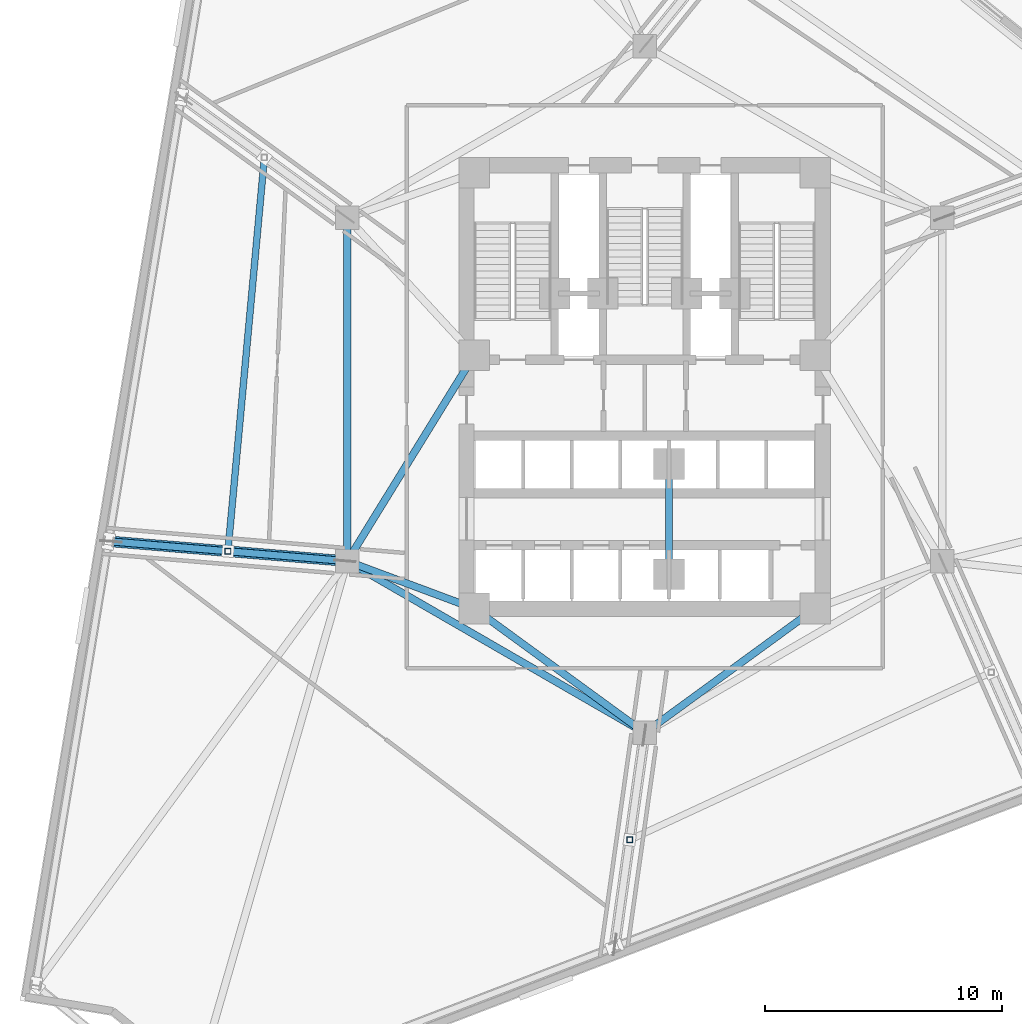
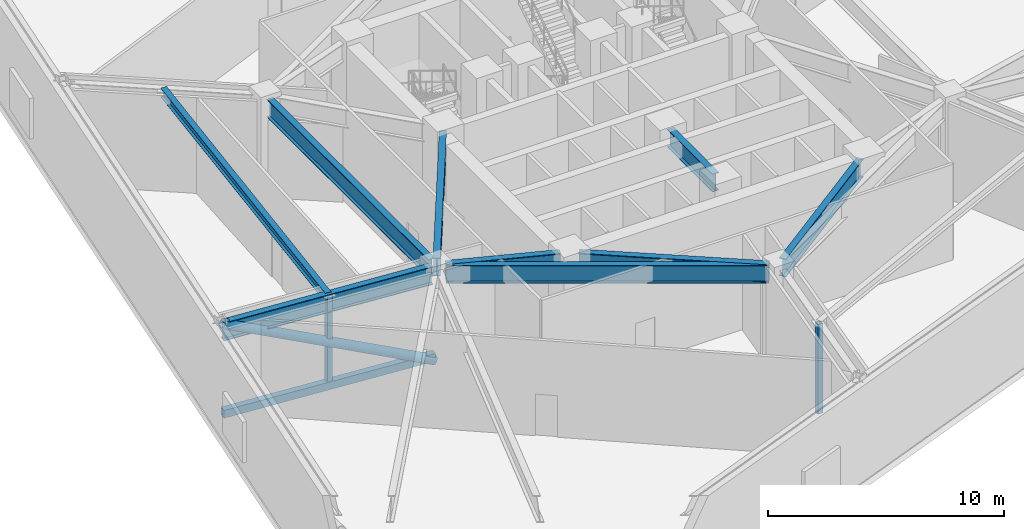
# One storey, part 3 of 18: 9 beams, 4 members.
"""IFC4 building model written with IfcOpenShell, lengths in metres."""

from ifc_helpers import new_model, si_unit, direction, frame, origin, origin_2d, place, context, subcontext, project, spatial, hollow_rectangle, hollow_circle, i_section, extrude, material, material_profile, profile_set, type_object, element, save


model = new_model("IFC4")

# Units and contexts
model_context = context("Model", 3, precision=1e-05, world=origin(), true_north=direction((0.0, 1.0)))
body_context = subcontext(model_context, "Body", "Model", "MODEL_VIEW")
ifc_project = project(units=[si_unit("LENGTHUNIT", "METRE"), si_unit("AREAUNIT", "SQUARE_METRE"), si_unit("VOLUMEUNIT", "CUBIC_METRE"), si_unit("PLANEANGLEUNIT", "RADIAN"), si_unit("MASSUNIT", "GRAM", prefix="KILO")], contexts=[model_context])

# Site, building, storey
site_placement = place(None, origin())
site = spatial("IfcSite", under=ifc_project, at=site_placement, CompositionType="ELEMENT")
building_placement = place(site_placement, origin())
building = spatial("IfcBuilding", under=site, at=building_placement, Name="Apsidion Concourse Tower", CompositionType="ELEMENT")
storey_placement = place(building_placement, frame((0.0, 0.0, 127.0)))
storey = spatial("IfcBuildingStorey", under=building, at=storey_placement, Name="L29", CompositionType="ELEMENT", Elevation=127.0)

# Beams
ifc_material_1 = material(Name="Structural steel ASTM A992 Grade 50", Category="steel")
ifc_material_profile_1 = material_profile(ifc_material_1, i_section(OverallWidth=0.280029296875, OverallDepth=0.462890625, WebThickness=0.0107421875, FlangeThickness=0.017333984375, at=origin_2d()), Name="W18X76")
ifc_profile_set_1 = profile_set([ifc_material_profile_1], Name="Structural steel ASTM A992 Grade 50")
beam_type_1 = type_object("IfcBeamType", Name="BM-FL-W18M", PredefinedType="BEAM", material=ifc_profile_set_1)
beam_1_placement = place(storey_placement, frame((-16.05908203125, 9.798095703125, 4.718505859375), z_axis=(-0.092270423312, -0.995733985049, 0.0), x_axis=(0.995733985049, -0.092270423312, 0.0)))
element("IfcBeam", 1, at=beam_1_placement, inside=storey, type_object=beam_type_1, Name="L29 Secondary Floor Beam SEC-F1", PredefinedType="BEAM", context=body_context, shape_type="SweptSolid", body=[
    extrude(i_section(OverallWidth=0.280029296875, OverallDepth=0.462890625, WebThickness=0.0107421875, FlangeThickness=0.017333984375, at=origin_2d()), origin(), (0.0, 0.0, 1.0), 16.698486328125),
])
ifc_material_profile_2 = material_profile(ifc_material_1, i_section(OverallWidth=0.31005859375, OverallDepth=0.931884765625, WebThickness=0.02099609375, FlangeThickness=0.034423828125, at=origin_2d()), Name="W36X210")
ifc_profile_set_2 = profile_set([ifc_material_profile_2], Name="Structural steel ASTM A992 Grade 50")
beam_type_2 = type_object("IfcBeamType", Name="BM-G-W36", PredefinedType="USERDEFINED", material=ifc_profile_set_2)
beam_2_placement = place(storey_placement, frame((-12.185302734375, -7.389892578125, 4.48388671875), z_axis=(0.936913021145, -0.349562570664, 0.0), x_axis=(0.349562570664, 0.936913021145, 0.0)))
element("IfcBeam", 2, at=beam_2_placement, inside=storey, type_object=beam_type_2, Name="L29 Core Coupling Girder IC1-SC1", ObjectType="GIRDER", PredefinedType="USERDEFINED", context=body_context, shape_type="SweptSolid", body=[
    extrude(i_section(OverallWidth=0.31005859375, OverallDepth=0.931884765625, WebThickness=0.02099609375, FlangeThickness=0.034423828125, at=origin_2d()), origin(), (0.0, 0.0, 1.0), 4.921142578125),
])
beam_3_placement = place(storey_placement, frame((-12.35009765625, -6.909423828125, 4.48388671875), z_axis=(0.524524009763, 0.851395656074, 0.0), x_axis=(-0.851395656074, 0.524524009763, 0.0)))
element("IfcBeam", 3, at=beam_3_placement, inside=storey, type_object=beam_type_2, Name="L29 Core Coupling Girder IC1-SC6", ObjectType="GIRDER", PredefinedType="USERDEFINED", context=body_context, shape_type="SweptSolid", body=[
    extrude(i_section(OverallWidth=0.31005859375, OverallDepth=0.931884765625, WebThickness=0.02099609375, FlangeThickness=0.034423828125, at=origin_2d()), origin(), (0.0, 0.0, 1.0), 9.41845703125),
])
for number, where, z_axis, x_axis, name in (
    (4, (-0.3232421875, -14.264404296875, 4.48388671875), (-0.807993498909, 0.589191399905, 0.0), (-0.589191399905, -0.807993498909, 0.0), "L29 Core Coupling Girder IC6-SC1"),
    (5, (0.3232421875, -14.264404296875, 4.48388671875), (0.807993498909, 0.589191399905, 0.0), (-0.589191399905, 0.807993498909, 0.0), "L29 Core Coupling Girder IC6-SC2"),
):
    element("IfcBeam", number, at=place(storey_placement, frame(where, z_axis=z_axis, x_axis=x_axis)), inside=storey, type_object=beam_type_2, Name=name, ObjectType="GIRDER", PredefinedType="USERDEFINED", context=body_context, shape_type="SweptSolid", body=[
        extrude(i_section(OverallWidth=0.31005859375, OverallDepth=0.931884765625, WebThickness=0.02099609375, FlangeThickness=0.034423828125, at=origin_2d()), origin(), (0.0, 0.0, 1.0), 8.11083984375),
    ])
beam_4_placement = place(storey_placement, frame((-12.56005859375, -6.85009765625, 4.48388671875), z_axis=(0.0, 1.0, 0.0), x_axis=(-1.0, 0.0, 0.0)))
element("IfcBeam", 6, at=beam_4_placement, inside=storey, type_object=beam_type_2, Name="L29 Core Coupling Girder IC1-IC5", ObjectType="GIRDER", PredefinedType="USERDEFINED", context=body_context, shape_type="SweptSolid", body=[
    extrude(i_section(OverallWidth=0.31005859375, OverallDepth=0.931884765625, WebThickness=0.02099609375, FlangeThickness=0.034423828125, at=origin_2d()), origin(), (0.0, 0.0, 1.0), 13.7001953125),
])
beam_5_placement = place(storey_placement, frame((-0.346435546875, -14.300048828125, 4.48388671875), z_axis=(-0.866070471464, 0.499921932364, 0.0), x_axis=(-0.499921932364, -0.866070471464, 0.0)))
element("IfcBeam", 7, at=beam_5_placement, inside=storey, type_object=beam_type_2, Name="L29 Core Coupling Girder IC6-IC1", ObjectType="GIRDER", PredefinedType="USERDEFINED", context=body_context, shape_type="SweptSolid", body=[
    extrude(i_section(OverallWidth=0.31005859375, OverallDepth=0.931884765625, WebThickness=0.02099609375, FlangeThickness=0.034423828125, at=origin_2d()), origin(), (0.0, 0.0, 1.0), 13.702392578125),
])
beam_6_placement = place(storey_placement, frame((1.02490234375, -3.550048828125, 4.48388671875), z_axis=(0.0, -1.0, 0.0), x_axis=(1.0, 0.0, 0.0)))
element("IfcBeam", 8, at=beam_6_placement, inside=storey, type_object=beam_type_2, Name="L29 Core Coupling Girder CC5-CC6", ObjectType="GIRDER", PredefinedType="USERDEFINED", context=body_context, shape_type="SweptSolid", body=[
    extrude(i_section(OverallWidth=0.31005859375, OverallDepth=0.931884765625, WebThickness=0.02099609375, FlangeThickness=0.034423828125, at=origin_2d()), origin(), (0.0, 0.0, 1.0), 3.849853515625),
])
beam_7_placement = place(storey_placement, frame((-12.779296875, -7.231689453125, 4.48388671875), z_axis=(-0.996528374011, 0.083253827489, 0.0), x_axis=(-0.083253827489, -0.996528374011, 0.0)))
element("IfcBeam", 9, at=beam_7_placement, inside=storey, type_object=beam_type_2, Name="L29 Radial Floor Girder RAD-03", ObjectType="GIRDER", PredefinedType="USERDEFINED", context=body_context, shape_type="SweptSolid", body=[
    extrude(i_section(OverallWidth=0.31005859375, OverallDepth=0.931884765625, WebThickness=0.02099609375, FlangeThickness=0.034423828125, at=origin_2d()), origin(), (0.0, 0.0, 1.0), 9.79443359375),
])

# Members
ifc_material_2 = material(Name="Structural steel ASTM A572 Grade 50", Category="steel")
ifc_material_profile_3 = material_profile(ifc_material_2, hollow_circle(Radius=0.228515625, WallThickness=0.02490234375, at=origin_2d()), Name="CHS457X25")
ifc_profile_set_3 = profile_set([ifc_material_profile_3], Name="Structural steel ASTM A572 Grade 50")
member_type_1 = type_object("IfcMemberType", Name="MB-BR-CHS457", PredefinedType="BRACE", material=ifc_profile_set_3)
member_1_placement = place(storey_placement, frame((-12.65966796875, -7.24169921875, 0.0), z_axis=(-0.895159007633, 0.074786444064, 0.439428422883), x_axis=(-0.08325538051, -0.996528244264, 0.0)))
element("IfcMember", 10, at=member_1_placement, inside=storey, type_object=member_type_1, Name="L29 Radial Outrigger Truss Diagonal OT-01", PredefinedType="BRACE", context=body_context, shape_type="SweptSolid", body=[
    extrude(hollow_circle(Radius=0.228515625, WallThickness=0.02490234375, at=origin_2d()), origin(), (0.0, 0.0, 1.0), 11.037353515625),
])
ifc_material_3 = material(Name="Structural steel ASTM A500 Grade C", Category="steel")
ifc_material_profile_4 = material_profile(ifc_material_3, hollow_rectangle(XDim=0.300048828125, YDim=0.39990234375, WallThickness=0.02001953125, at=origin_2d()), Name="HSS400X300X20")
ifc_profile_set_4 = profile_set([ifc_material_profile_4], Name="Structural steel ASTM A500 Grade C")
member_type_2 = type_object("IfcMemberType", Name="MB-CH-HSS400", PredefinedType="CHORD", material=ifc_profile_set_4)
member_2_placement = place(storey_placement, frame((-12.65966796875, -7.24169921875, 0.219970703125), z_axis=(-0.996528244264, 0.08325538051, 0.0), x_axis=(-0.08325538051, -0.996528244264, 0.0)))
element("IfcMember", 11, at=member_2_placement, inside=storey, type_object=member_type_2, Name="L29 Radial Outrigger Bottom Chord OTC-01", PredefinedType="CHORD", context=body_context, shape_type="SweptSolid", body=[
    extrude(hollow_rectangle(XDim=0.300048828125, YDim=0.39990234375, WallThickness=0.02001953125, at=origin_2d()), origin(), (0.0, 0.0, 1.0), 9.91455078125),
])
ifc_material_profile_5 = material_profile(ifc_material_3, hollow_rectangle(XDim=0.25, YDim=0.25, WallThickness=0.01611328125, at=origin_2d()), Name="HSS250X250X16")
ifc_profile_set_5 = profile_set([ifc_material_profile_5], Name="Structural steel ASTM A500 Grade C")
member_type_3 = type_object("IfcMemberType", Name="MB-ST-HSS250", PredefinedType="STRUT", material=ifc_profile_set_5)
for number, where, z_axis, x_axis, name in (
    (12, (-17.599853515625, -6.8291015625, 0.219970703125), (0.0, 0.0, 1.0), (1.0, 0.0, 0.0), "L29 Outrigger Truss Compression Strut OTV-01"),
    (13, (-0.6376953125, -19.018310546875, 0.219970703125), (0.0, 0.0, 1.0), (1.0, 0.0, 0.0), "L29 Outrigger Truss Compression Strut OTV-06"),
):
    element("IfcMember", number, at=place(storey_placement, frame(where, z_axis=z_axis, x_axis=x_axis)), inside=storey, type_object=member_type_3, Name=name, PredefinedType="STRUT", context=body_context, shape_type="SweptSolid", body=[
        extrude(hollow_rectangle(XDim=0.25, YDim=0.25, WallThickness=0.01611328125, at=origin_2d()), origin(), (0.0, 0.0, 1.0), 4.630126953125),
    ])

save(model, "model.ifc")
